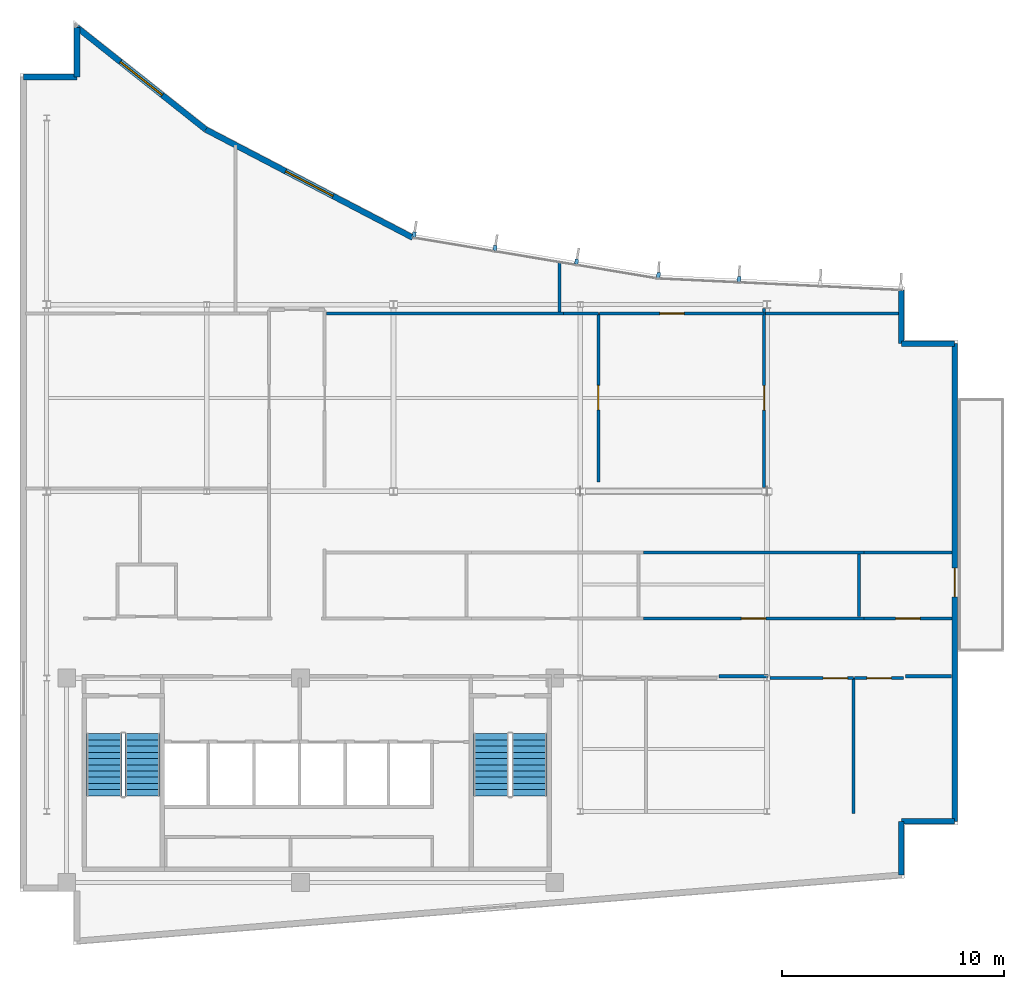
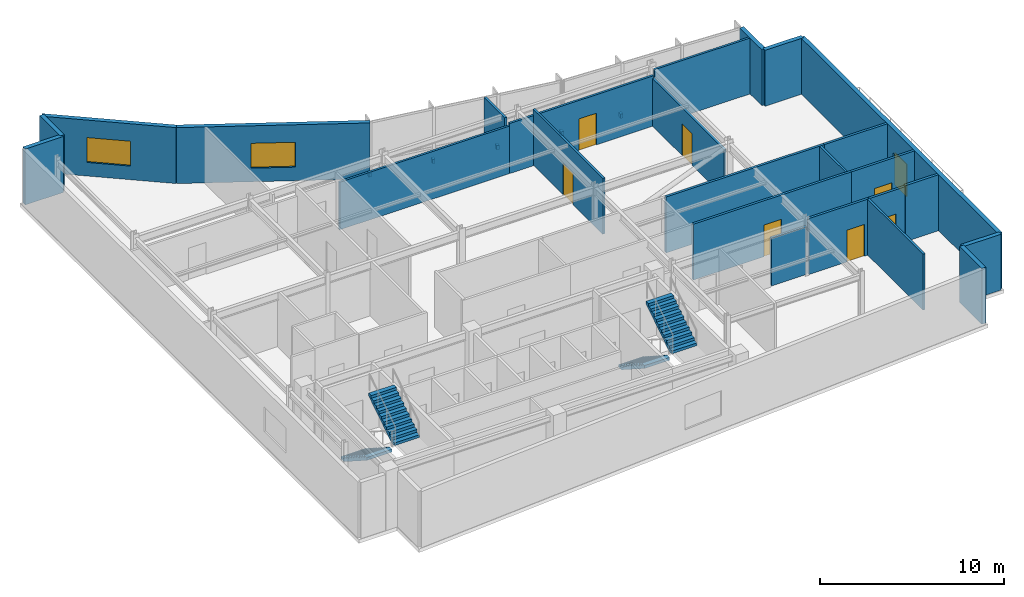
# One storey, part 13 of 17: 26 walls, 8 doors, 5 discrete accessories, 4 stair flights, 2 windows, 10 openings, 2 elements without a shape of their own.
"""IFC4 building model written with IfcOpenShell, lengths in metres."""

from ifc_helpers import new_model, si_unit, direction, frame, frame_2d, origin, origin_2d, place, context, subcontext, project, spatial, polyline, rectangle, outline, extrude, material, layer, layer_set, type_object, element, fill, aggregate, save


model = new_model("IFC4")

# Units and contexts
model_context = context("Model", 3, precision=1e-05, world=origin(), true_north=direction((0.0, 1.0)))
body_context = subcontext(model_context, "Body", "Model", "MODEL_VIEW")
ifc_project = project(units=[si_unit("LENGTHUNIT", "METRE"), si_unit("AREAUNIT", "SQUARE_METRE"), si_unit("VOLUMEUNIT", "CUBIC_METRE"), si_unit("PLANEANGLEUNIT", "RADIAN"), si_unit("MASSUNIT", "GRAM", prefix="KILO")], contexts=[model_context])

# Site, building, storey
site_placement = place(None, origin())
site = spatial("IfcSite", under=ifc_project, at=site_placement, CompositionType="ELEMENT")
building_placement = place(site_placement, origin())
building = spatial("IfcBuilding", under=site, at=building_placement, Name="Varnakote Quay Hospital", CompositionType="ELEMENT")
storey_placement = place(building_placement, frame((0.0, 0.0, 256.550048828125)))
storey = spatial("IfcBuildingStorey", under=building, at=storey_placement, Name="L63", CompositionType="ELEMENT", Elevation=256.550048828125)

# Walls
ifc_material_1 = material(Name="Fire-rated acoustic gypsum stud wall", Category="gypsum")
ifc_layer_1 = layer(ifc_material_1, 0.159912109375)
ifc_layer_set_1 = layer_set([ifc_layer_1], Name="Fire-rated acoustic gypsum stud wall")
wall_type_1 = type_object("IfcWallType", Name="WL-COMP-160", PredefinedType="PARTITIONING", material=ifc_layer_set_1)
wall_1_placement = place(storey_placement, frame((31.439208984375, 12.080078125, 0.0), z_axis=(0.0, 0.0, 1.0), x_axis=(1.0, 0.0, 0.0)))
element("IfcWall", 1, at=wall_1_placement, inside=storey, type_object=wall_type_1, Name="L63 Corridor South Gap Wall", PredefinedType="PARTITIONING", context=body_context, shape_type="SweptSolid", body=[
    extrude(rectangle(XDim=2.198486328125, YDim=0.159912109375, at=frame_2d((1.09912109375, 0.0))), origin(), (0.0, 0.0, 1.0), 3.156982421875),
])
wall_2_placement = place(storey_placement, frame((39.83935546875, 12.080078125, 0.0), z_axis=(0.0, 0.0, 1.0), x_axis=(1.0, 0.0, 0.0)))
element("IfcWall", 2, at=wall_2_placement, inside=storey, type_object=wall_type_1, Name="L63 Corridor South Gap Wall", PredefinedType="PARTITIONING", context=body_context, shape_type="SweptSolid", body=[
    extrude(rectangle(XDim=2.060546875, YDim=0.159912109375, at=frame_2d((1.0302734375, 0.0))), origin(), (0.0, 0.0, 1.0), 3.7099609375),
])
ifc_material_2 = material(Name="Precast concrete N50 (f'c 50 MPa)", Category="concrete")
ifc_layer_2 = layer(ifc_material_2, 0.260009765625)
ifc_layer_set_2 = layer_set([ifc_layer_2], Name="Precast concrete N50 (f'c 50 MPa)")
wall_type_2 = type_object("IfcWallType", Name="WL-EXT-BRICK-260", PredefinedType="STANDARD", material=ifc_layer_set_2)
wall_3_placement = place(storey_placement, frame((39.639892578125, 3.147705078125, 0.0), z_axis=(0.0, 0.0, 1.0), x_axis=(0.0, 1.0, 0.0)))
element("IfcWall", 3, at=wall_3_placement, inside=storey, type_object=wall_type_2, Name="L63 Brick-Faced Precast Exterior Wall", PredefinedType="STANDARD", context=body_context, shape_type="SweptSolid", body=[
    extrude(rectangle(XDim=2.412353515625, YDim=0.260009765625, at=frame_2d((1.2060546875, 0.0))), origin(), (0.0, 0.0, 1.0), 3.7099609375),
])
wall_4_placement = place(storey_placement, frame((39.639892578125, 5.56005859375, 0.0), z_axis=(0.0, 0.0, 1.0), x_axis=(1.0, 0.0, 0.0)))
element("IfcWall", 4, at=wall_4_placement, inside=storey, type_object=wall_type_2, Name="L63 Brick-Faced Precast Exterior Wall", PredefinedType="STANDARD", context=body_context, shape_type="SweptSolid", body=[
    extrude(rectangle(XDim=2.400146484375, YDim=0.260009765625, at=frame_2d((1.2001953125, 0.0))), origin(), (0.0, 0.0, 1.0), 3.7099609375),
])

# Wall, opening, door
wall_5_placement = place(storey_placement, frame((42.0400390625, 5.56005859375, 0.0), z_axis=(0.0, 0.0, 1.0), x_axis=(0.0, 1.0, 0.0)))
wall_5 = element("IfcWall", 5, at=wall_5_placement, inside=storey, type_object=wall_type_2, Name="L63 Healing Terrace Portal Brick Wall", PredefinedType="STANDARD", context=body_context, shape_type="SweptSolid", body=[
    extrude(rectangle(XDim=21.47998046875, YDim=0.260009765625, at=frame_2d((10.739990234375, 0.0))), origin(), (0.0, 0.0, 1.0), 3.7099609375),
])
opening_1_placement = place(wall_5_placement, frame((10.090087890625, 0.0, 0.0)))
opening_1 = element("IfcOpeningElement", 6, at=opening_1_placement, cuts=wall_5, Name="Opening DT-L63", PredefinedType="OPENING", context=body_context, shape_type="SweptSolid", body=[
    extrude(rectangle(XDim=1.300048828125, YDim=2.14990234375, at=frame_2d((0.64990234375, 1.074951171875))), frame((0.0, 0.139892578125, 0.0), z_axis=(0.0, -1.0, 0.0), x_axis=(1.0, 0.0, 0.0)), (0.0, 0.0, 1.0), 0.280029296875),
])
ifc_material_3 = material(Name="Anodised aluminium glazed terrace door", Category="aluminium")
door_type_1 = type_object("IfcDoorType", Name="DR-EXT-TERR-1300x2150", OperationType="NOTDEFINED", PredefinedType="DOOR", material=ifc_material_3)
door_1_placement = place(opening_1_placement, origin())
door_1 = element("IfcDoor", 7, at=door_1_placement, inside=storey, type_object=door_type_1, Name="L63 Waterfront Healing Terrace Door", OperationType="SINGLE_SWING_RIGHT", OverallHeight=2.14990234375, OverallWidth=1.300048828125, PredefinedType="DOOR", context=body_context, shape_type="SweptSolid", body=[
    extrude(rectangle(XDim=1.300048828125, YDim=2.14990234375, at=frame_2d((0.64990234375, 1.074951171875))), frame((0.0, 0.02490234375, 0.0), z_axis=(0.0, -1.0, 0.0), x_axis=(1.0, 0.0, 0.0)), (0.0, 0.0, 1.0), 0.050048828125),
])
fill(opening_1, door_1)

# Walls
wall_6_placement = place(storey_placement, frame((42.0400390625, 27.0400390625, 0.0), z_axis=(0.0, 0.0, 1.0), x_axis=(-1.0, 0.0, 0.0)))
element("IfcWall", 8, at=wall_6_placement, inside=storey, type_object=wall_type_2, Name="L63 Brick-Faced Precast Exterior Wall", PredefinedType="STANDARD", context=body_context, shape_type="SweptSolid", body=[
    extrude(rectangle(XDim=2.400146484375, YDim=0.260009765625, at=frame_2d((1.2001953125, 0.0))), origin(), (0.0, 0.0, 1.0), 3.7099609375),
])
wall_7_placement = place(storey_placement, frame((39.639892578125, 27.0400390625, 0.0), z_axis=(0.0, 0.0, 1.0), x_axis=(0.0, 1.0, 0.0)))
element("IfcWall", 9, at=wall_7_placement, inside=storey, type_object=wall_type_2, Name="L63 Brick-Faced Precast Exterior Wall", PredefinedType="STANDARD", context=body_context, shape_type="SweptSolid", body=[
    extrude(rectangle(XDim=2.407470703125, YDim=0.260009765625, at=frame_2d((1.20361328125, 0.0))), origin(), (0.0, 0.0, 1.0), 3.7099609375),
])

# Wall, opening, window
wall_8_placement = place(storey_placement, frame((17.672607421875, 31.806396484375, 0.0), z_axis=(0.0, 0.0, 1.0), x_axis=(-0.886426635565, 0.462869117311, 0.0)))
wall_8 = element("IfcWall", 10, at=wall_8_placement, inside=storey, type_object=wall_type_2, Name="L63 Brick-Faced Precast Exterior Wall", PredefinedType="STANDARD", context=body_context, shape_type="SweptSolid", body=[
    extrude(rectangle(XDim=10.51416015625, YDim=0.260009765625, at=frame_2d((5.257080078125, 0.0))), origin(), (0.0, 0.0, 1.0), 3.7099609375),
])
opening_2_placement = place(wall_8_placement, frame((4.05712890625, 0.0, 0.89990234375)))
opening_2 = element("IfcOpeningElement", 11, at=opening_2_placement, cuts=wall_8, Name="Opening WN-0255", PredefinedType="OPENING", context=body_context, shape_type="SweptSolid", body=[
    extrude(rectangle(XDim=2.39990234375, YDim=1.64990234375, at=frame_2d((1.199951171875, 0.824951171875))), frame((0.0, 0.139892578125, 0.0), z_axis=(0.0, -1.0, 0.0), x_axis=(1.0, 0.0, 0.0)), (0.0, 0.0, 1.0), 0.280029296875),
])
ifc_material_4 = material(Name="Double-glazed low-E solar glass", Category="glass")
window_type = type_object("IfcWindowType", Name="WIN-CLIN-2400x1650", PartitioningType="SINGLE_PANEL", PredefinedType="WINDOW", material=ifc_material_4)
window_1_placement = place(opening_2_placement, origin())
window_1 = element("IfcWindow", 12, at=window_1_placement, inside=storey, type_object=window_type, Name="L63 Solar-Control Clinical Window", OverallHeight=1.64990234375, OverallWidth=2.39990234375, PartitioningType="SINGLE_PANEL", PredefinedType="WINDOW", context=body_context, shape_type="SweptSolid", body=[
    extrude(rectangle(XDim=2.39990234375, YDim=1.64990234375, at=frame_2d((1.199951171875, 0.824951171875))), frame((0.0, 0.030029296875, 0.0), z_axis=(0.0, -1.0, 0.0), x_axis=(1.0, 0.0, 0.0)), (0.0, 0.0, 1.0), 0.06005859375),
])
fill(opening_2, window_1)

wall_9_placement = place(storey_placement, frame((8.3525390625, 36.673095703125, 0.0), z_axis=(0.0, 0.0, 1.0), x_axis=(-0.783387911746, 0.621533088203, 0.0)))
wall_9 = element("IfcWall", 13, at=wall_9_placement, inside=storey, type_object=wall_type_2, Name="L63 Brick-Faced Precast Exterior Wall", PredefinedType="STANDARD", context=body_context, shape_type="SweptSolid", body=[
    extrude(rectangle(XDim=7.39404296875, YDim=0.260009765625, at=frame_2d((3.697021484375, 0.0))), origin(), (0.0, 0.0, 1.0), 3.7099609375),
])
opening_3_placement = place(wall_9_placement, frame((2.4970703125, 0.0, 0.89990234375)))
opening_3 = element("IfcOpeningElement", 14, at=opening_3_placement, cuts=wall_9, Name="Opening WN-0256", PredefinedType="OPENING", context=body_context, shape_type="SweptSolid", body=[
    extrude(rectangle(XDim=2.39990234375, YDim=1.64990234375, at=frame_2d((1.199951171875, 0.824951171875))), frame((0.0, 0.139892578125, 0.0), z_axis=(0.0, -1.0, 0.0), x_axis=(1.0, 0.0, 0.0)), (0.0, 0.0, 1.0), 0.280029296875),
])
window_2_placement = place(opening_3_placement, origin())
window_2 = element("IfcWindow", 15, at=window_2_placement, inside=storey, type_object=window_type, Name="L63 Solar-Control Clinical Window", OverallHeight=1.64990234375, OverallWidth=2.39990234375, PartitioningType="SINGLE_PANEL", PredefinedType="WINDOW", context=body_context, shape_type="SweptSolid", body=[
    extrude(rectangle(XDim=2.39990234375, YDim=1.64990234375, at=frame_2d((1.199951171875, 0.824951171875))), frame((0.0, 0.030029296875, 0.0), z_axis=(0.0, -1.0, 0.0), x_axis=(1.0, 0.0, 0.0)), (0.0, 0.0, 1.0), 0.06005859375),
])
fill(opening_3, window_2)

# Walls
wall_10_placement = place(storey_placement, frame((2.56005859375, 41.268798828125, 0.0), z_axis=(0.0, 0.0, 1.0), x_axis=(0.0, -1.0, 0.0)))
element("IfcWall", 16, at=wall_10_placement, inside=storey, type_object=wall_type_2, Name="L63 Brick-Faced Precast Exterior Wall", PredefinedType="STANDARD", context=body_context, shape_type="SweptSolid", body=[
    extrude(rectangle(XDim=2.228759765625, YDim=0.260009765625, at=frame_2d((1.1142578125, 0.0))), origin(), (0.0, 0.0, 1.0), 3.7099609375),
])
wall_11_placement = place(storey_placement, frame((2.56005859375, 39.0400390625, 0.0), z_axis=(0.0, 0.0, 1.0), x_axis=(-1.0, 0.0, 0.0)))
element("IfcWall", 17, at=wall_11_placement, inside=storey, type_object=wall_type_2, Name="L63 Brick-Faced Precast Exterior Wall", PredefinedType="STANDARD", context=body_context, shape_type="SweptSolid", body=[
    extrude(rectangle(XDim=2.400146484375, YDim=0.260009765625, at=frame_2d((1.2001953125, 0.0))), origin(), (0.0, 0.0, 1.0), 3.7099609375),
])
ifc_material_5 = material(Name="Smoke-proof clinical partition", Category="gypsum")
ifc_layer_3 = layer(ifc_material_5, 0.135009765625)
ifc_layer_set_3 = layer_set([ifc_layer_3], Name="Smoke-proof clinical partition")
wall_type_3 = type_object("IfcWallType", Name="WL-SMOKE-135", PredefinedType="PARTITIONING", material=ifc_layer_set_3)
wall_12_placement = place(storey_placement, frame((37.47998046875, 5.89990234375, 0.0), z_axis=(0.0, 0.0, 1.0), x_axis=(0.0, 1.0, 0.0)))
element("IfcWall", 18, at=wall_12_placement, inside=storey, type_object=wall_type_3, Name="L63 Clinical Interior Partition", PredefinedType="PARTITIONING", context=body_context, shape_type="SweptSolid", body=[
    extrude(rectangle(XDim=6.10009765625, YDim=0.135009765625, at=frame_2d((3.050048828125, 0.0))), origin(), (0.0, 0.0, 1.0), 3.7099609375),
])
wall_13_placement = place(storey_placement, frame((37.72998046875, 14.760009765625, 0.0), z_axis=(0.0, 0.0, 1.0), x_axis=(0.0, 1.0, 0.0)))
element("IfcWall", 19, at=wall_13_placement, inside=storey, type_object=wall_type_3, Name="L63 Clinical Interior Partition", PredefinedType="PARTITIONING", context=body_context, shape_type="SweptSolid", body=[
    extrude(rectangle(XDim=2.81005859375, YDim=0.135009765625, at=frame_2d((1.405029296875, 0.0))), origin(), (0.0, 0.0, 1.0), 3.7099609375),
])

# Wall, opening, door
wall_14_placement = place(storey_placement, frame((26.010009765625, 20.820068359375, 0.0), z_axis=(0.0, 0.0, 1.0), x_axis=(0.0, 1.0, 0.0)))
wall_14 = element("IfcWall", 20, at=wall_14_placement, inside=storey, type_object=wall_type_3, Name="L63 Clinical Interior Partition", PredefinedType="PARTITIONING", context=body_context, shape_type="SweptSolid", body=[
    extrude(rectangle(XDim=7.579833984375, YDim=0.135009765625, at=frame_2d((3.7900390625, 0.0))), origin(), (0.0, 0.0, 1.0), 3.7099609375),
])
opening_4_placement = place(wall_14_placement, frame((3.239990234375, 0.0, 0.0)))
opening_4 = element("IfcOpeningElement", 21, at=opening_4_placement, cuts=wall_14, Name="Opening D-L63-DLNG", PredefinedType="OPENING", context=body_context, shape_type="SweptSolid", body=[
    extrude(rectangle(XDim=1.10009765625, YDim=2.10009765625, at=frame_2d((0.550048828125, 1.050048828125))), frame((0.0, 0.077392578125, 0.0), z_axis=(0.0, -1.0, 0.0), x_axis=(1.0, 0.0, 0.0)), (0.0, 0.0, 1.0), 0.155029296875),
])
ifc_material_6 = material(Name="Acoustic timber clinical consult door", Category="wood")
door_type_2 = type_object("IfcDoorType", Name="DR-CLIN-FD30S-1100x2100", OperationType="NOTDEFINED", PredefinedType="DOOR", material=ifc_material_6)
door_2_placement = place(opening_4_placement, origin())
door_2 = element("IfcDoor", 22, at=door_2_placement, inside=storey, type_object=door_type_2, Name="L63 Waterfront Patient & Family Dayroom Door", OperationType="SINGLE_SWING_RIGHT", OverallHeight=2.10009765625, OverallWidth=1.10009765625, PredefinedType="DOOR", context=body_context, shape_type="SweptSolid", body=[
    extrude(rectangle(XDim=1.10009765625, YDim=2.10009765625, at=frame_2d((0.550048828125, 1.050048828125))), frame((0.0, 0.02490234375, 0.0), z_axis=(0.0, -1.0, 0.0), x_axis=(1.0, 0.0, 0.0)), (0.0, 0.0, 1.0), 0.050048828125),
])
fill(opening_4, door_2)

# Walls
wall_15_placement = place(storey_placement, frame((24.4384765625, 28.39990234375, 0.0), z_axis=(0.0, 0.0, 1.0), x_axis=(-1.0, 0.0, 0.0)))
element("IfcWall", 23, at=wall_15_placement, inside=storey, type_object=wall_type_3, Name="L63 Clinical Interior Partition", PredefinedType="PARTITIONING", context=body_context, shape_type="SweptSolid", body=[
    extrude(rectangle(XDim=10.658447265625, YDim=0.135009765625, at=frame_2d((5.3291015625, 0.0))), origin(), (0.0, 0.0, 1.0), 3.156982421875),
])
wall_16_placement = place(storey_placement, frame((26.010009765625, 28.39990234375, 0.0), z_axis=(0.0, 0.0, 1.0), x_axis=(-1.0, 0.0, 0.0)))
element("IfcWall", 24, at=wall_16_placement, inside=storey, type_object=wall_type_3, Name="L63 Clinical Interior Partition", PredefinedType="PARTITIONING", context=body_context, shape_type="SweptSolid", body=[
    extrude(rectangle(XDim=1.569580078125, YDim=0.135009765625, at=frame_2d((0.78466796875, 0.0))), origin(), (0.0, 0.0, 1.0), 3.325927734375),
])

# Wall, opening, door
wall_17_placement = place(storey_placement, frame((33.469970703125, 20.570068359375, 0.0), z_axis=(0.0, 0.0, 1.0), x_axis=(0.0, 1.0, 0.0)))
wall_17 = element("IfcWall", 25, at=wall_17_placement, inside=storey, type_object=wall_type_3, Name="L63 Clinical Interior Partition", PredefinedType="PARTITIONING", context=body_context, shape_type="SweptSolid", body=[
    extrude(rectangle(XDim=8.059814453125, YDim=0.135009765625, at=frame_2d((4.02978515625, 0.0))), origin(), (0.0, 0.0, 1.0), 3.156982421875),
])
opening_5_placement = place(wall_17_placement, frame((3.47998046875, 0.0, 0.0)))
opening_5 = element("IfcOpeningElement", 26, at=opening_5_placement, cuts=wall_17, Name="Opening D-L63-WPNT", PredefinedType="OPENING", context=body_context, shape_type="SweptSolid", body=[
    extrude(rectangle(XDim=1.10009765625, YDim=2.10009765625, at=frame_2d((0.550048828125, 1.050048828125))), frame((0.0, 0.077392578125, 0.0), z_axis=(0.0, -1.0, 0.0), x_axis=(1.0, 0.0, 0.0)), (0.0, 0.0, 1.0), 0.155029296875),
])
door_3_placement = place(opening_5_placement, origin())
door_3 = element("IfcDoor", 27, at=door_3_placement, inside=storey, type_object=door_type_2, Name="L63 Ward Clinical Nutrition Pantry Door", OperationType="SINGLE_SWING_LEFT", OverallHeight=2.10009765625, OverallWidth=1.10009765625, PredefinedType="DOOR", context=body_context, shape_type="SweptSolid", body=[
    extrude(rectangle(XDim=1.10009765625, YDim=2.10009765625, at=frame_2d((0.550048828125, 1.050048828125))), frame((0.0, 0.02490234375, 0.0), z_axis=(0.0, -1.0, 0.0), x_axis=(1.0, 0.0, 0.0)), (0.0, 0.0, 1.0), 0.050048828125),
])
fill(opening_5, door_3)

wall_18_placement = place(storey_placement, frame((33.469970703125, 28.39990234375, 0.0), z_axis=(0.0, 0.0, 1.0), x_axis=(-1.0, 0.0, 0.0)))
wall_18 = element("IfcWall", 28, at=wall_18_placement, inside=storey, type_object=wall_type_3, Name="L63 Clinical Interior Partition", PredefinedType="PARTITIONING", context=body_context, shape_type="SweptSolid", body=[
    extrude(rectangle(XDim=7.402587890625, YDim=0.135009765625, at=frame_2d((3.701171875, 0.0))), origin(), (0.0, 0.0, 1.0), 3.325927734375),
])
opening_6_placement = place(wall_18_placement, frame((3.593994140625, 0.0, 0.0)))
opening_6 = element("IfcOpeningElement", 29, at=opening_6_placement, cuts=wall_18, Name="Opening D-L63-MD11", PredefinedType="OPENING", context=body_context, shape_type="SweptSolid", body=[
    extrude(rectangle(XDim=1.10009765625, YDim=2.10009765625, at=frame_2d((0.550048828125, 1.050048828125))), frame((0.0, 0.077392578125, 0.0), z_axis=(0.0, -1.0, 0.0), x_axis=(1.0, 0.0, 0.0)), (0.0, 0.0, 1.0), 0.155029296875),
])
door_4_placement = place(opening_6_placement, origin())
door_4 = element("IfcDoor", 30, at=door_4_placement, inside=storey, type_object=door_type_2, Name="L63 Surgical Clinical Consultation Suite Door", OperationType="SINGLE_SWING_RIGHT", OverallHeight=2.10009765625, OverallWidth=1.10009765625, PredefinedType="DOOR", context=body_context, shape_type="SweptSolid", body=[
    extrude(rectangle(XDim=1.10009765625, YDim=2.10009765625, at=frame_2d((0.550048828125, 1.050048828125))), frame((0.0, 0.02490234375, 0.0), z_axis=(0.0, -1.0, 0.0), x_axis=(1.0, 0.0, 0.0)), (0.0, 0.0, 1.0), 0.050048828125),
])
fill(opening_6, door_4)

# Walls
wall_19_placement = place(storey_placement, frame((39.639892578125, 28.39990234375, 0.0), z_axis=(0.0, 0.0, 1.0), x_axis=(-1.0, 0.0, 0.0)))
element("IfcWall", 31, at=wall_19_placement, inside=storey, type_object=wall_type_3, Name="L63 Clinical Interior Partition", PredefinedType="PARTITIONING", context=body_context, shape_type="SweptSolid", body=[
    extrude(rectangle(XDim=6.1123046875, YDim=0.135009765625, at=frame_2d((3.05615234375, 0.0))), origin(), (0.0, 0.0, 1.0), 3.7099609375),
])
wall_20_placement = place(storey_placement, frame((24.260009765625, 28.45751953125, 0.0), z_axis=(0.0, 0.0, 1.0), x_axis=(0.0, 1.0, 0.0)))
element("IfcWall", 32, at=wall_20_placement, inside=storey, type_object=wall_type_3, Name="L63 Clinical Interior Partition", PredefinedType="PARTITIONING", context=body_context, shape_type="SweptSolid", body=[
    extrude(rectangle(XDim=2.2490234375, YDim=0.135009765625, at=frame_2d((1.12451171875, 0.0))), origin(), (0.0, 0.0, 1.0), 3.7099609375),
])

# Wall, opening, door
ifc_material_7 = material(Name="Fire-rated clinical gypsum partition", Category="gypsum")
ifc_layer_4 = layer(ifc_material_7, 0.14990234375)
ifc_layer_set_4 = layer_set([ifc_layer_4], Name="Fire-rated clinical gypsum partition")
wall_type_4 = type_object("IfcWallType", Name="WL-WARD-150", PredefinedType="PARTITIONING", material=ifc_layer_set_4)
wall_21_placement = place(storey_placement, frame((37.47998046875, 12.0, 0.0), z_axis=(0.0, 0.0, 1.0), x_axis=(-1.0, 0.0, 0.0)))
wall_21 = element("IfcWall", 33, at=wall_21_placement, inside=storey, type_object=wall_type_4, Name="L63 Clinical Interior Partition", PredefinedType="PARTITIONING", context=body_context, shape_type="SweptSolid", body=[
    extrude(rectangle(XDim=3.7529296875, YDim=0.14990234375, at=frame_2d((1.87646484375, 0.0))), origin(), (0.0, 0.0, 1.0), 3.7099609375),
])
opening_7_placement = place(wall_21_placement, frame((0.25634765625, 0.0, 0.0)))
opening_7 = element("IfcOpeningElement", 34, at=opening_7_placement, cuts=wall_21, Name="Opening D-L63-RM1", PredefinedType="OPENING", context=body_context, shape_type="SweptSolid", body=[
    extrude(rectangle(XDim=1.10009765625, YDim=2.10009765625, at=frame_2d((0.550048828125, 1.050048828125))), frame((0.0, 0.0849609375, 0.0), z_axis=(0.0, -1.0, 0.0), x_axis=(1.0, 0.0, 0.0)), (0.0, 0.0, 1.0), 0.169921875),
])
door_5_placement = place(opening_7_placement, origin())
door_5 = element("IfcDoor", 35, at=door_5_placement, inside=storey, type_object=door_type_2, Name="L63 Cardiac Telemetry Treatment Suite Door", OperationType="SINGLE_SWING_RIGHT", OverallHeight=2.10009765625, OverallWidth=1.10009765625, PredefinedType="DOOR", context=body_context, shape_type="SweptSolid", body=[
    extrude(rectangle(XDim=1.10009765625, YDim=2.10009765625, at=frame_2d((0.550048828125, 1.050048828125))), frame((0.0, 0.02490234375, 0.0), z_axis=(0.0, -1.0, 0.0), x_axis=(1.0, 0.0, 0.0)), (0.0, 0.0, 1.0), 0.050048828125),
])
fill(opening_7, door_5)

wall_22_placement = place(storey_placement, frame((39.75, 12.0, 0.0), z_axis=(0.0, 0.0, 1.0), x_axis=(-1.0, 0.0, 0.0)))
wall_22 = element("IfcWall", 36, at=wall_22_placement, inside=storey, type_object=wall_type_4, Name="L63 Clinical Interior Partition", PredefinedType="PARTITIONING", context=body_context, shape_type="SweptSolid", body=[
    extrude(rectangle(XDim=2.21240234375, YDim=0.14990234375, at=frame_2d((1.106201171875, 0.0))), origin(), (0.0, 0.0, 1.0), 3.7099609375),
])
opening_8_placement = place(wall_22_placement, frame((0.55615234375, 0.0, 0.0)))
opening_8 = element("IfcOpeningElement", 37, at=opening_8_placement, cuts=wall_22, Name="Opening D-L63-RM2", PredefinedType="OPENING", context=body_context, shape_type="SweptSolid", body=[
    extrude(rectangle(XDim=1.10009765625, YDim=2.10009765625, at=frame_2d((0.550048828125, 1.050048828125))), frame((0.0, 0.0849609375, 0.0), z_axis=(0.0, -1.0, 0.0), x_axis=(1.0, 0.0, 0.0)), (0.0, 0.0, 1.0), 0.169921875),
])
door_6_placement = place(opening_8_placement, origin())
door_6 = element("IfcDoor", 38, at=door_6_placement, inside=storey, type_object=door_type_2, Name="L63 Vascular Diagnostics Office Door", OperationType="SINGLE_SWING_LEFT", OverallHeight=2.10009765625, OverallWidth=1.10009765625, PredefinedType="DOOR", context=body_context, shape_type="SweptSolid", body=[
    extrude(rectangle(XDim=1.10009765625, YDim=2.10009765625, at=frame_2d((0.550048828125, 1.050048828125))), frame((0.0, 0.02490234375, 0.0), z_axis=(0.0, -1.0, 0.0), x_axis=(1.0, 0.0, 0.0)), (0.0, 0.0, 1.0), 0.050048828125),
])
fill(opening_8, door_6)

wall_23_placement = place(storey_placement, frame((37.9560546875, 14.679931640625, 0.0), z_axis=(0.0, 0.0, 1.0), x_axis=(-1.0, 0.0, 0.0)))
wall_23 = element("IfcWall", 39, at=wall_23_placement, inside=storey, type_object=wall_type_4, Name="L63 Clinical Interior Partition", PredefinedType="PARTITIONING", context=body_context, shape_type="SweptSolid", body=[
    extrude(rectangle(XDim=9.91796875, YDim=0.14990234375, at=frame_2d((4.958984375, 0.0))), origin(), (0.0, 0.0, 1.0), 3.7099609375),
])
opening_9_placement = place(wall_23_placement, frame((4.408935546875, 0.0, 0.0)))
opening_9 = element("IfcOpeningElement", 40, at=opening_9_placement, cuts=wall_23, Name="Opening D-L63-MD05", PredefinedType="OPENING", context=body_context, shape_type="SweptSolid", body=[
    extrude(rectangle(XDim=1.10009765625, YDim=2.10009765625, at=frame_2d((0.550048828125, 1.050048828125))), frame((0.0, 0.0849609375, 0.0), z_axis=(0.0, -1.0, 0.0), x_axis=(1.0, 0.0, 0.0)), (0.0, 0.0, 1.0), 0.169921875),
])
door_7_placement = place(opening_9_placement, origin())
door_7 = element("IfcDoor", 41, at=door_7_placement, inside=storey, type_object=door_type_2, Name="L63 Ward Nurse Station Office Door", OperationType="SINGLE_SWING_RIGHT", OverallHeight=2.10009765625, OverallWidth=1.10009765625, PredefinedType="DOOR", context=body_context, shape_type="SweptSolid", body=[
    extrude(rectangle(XDim=1.10009765625, YDim=2.10009765625, at=frame_2d((0.550048828125, 1.050048828125))), frame((0.0, 0.02490234375, 0.0), z_axis=(0.0, -1.0, 0.0), x_axis=(1.0, 0.0, 0.0)), (0.0, 0.0, 1.0), 0.050048828125),
])
fill(opening_9, door_7)

wall_24_placement = place(storey_placement, frame((41.919921875, 14.679931640625, 0.0), z_axis=(0.0, 0.0, 1.0), x_axis=(-1.0, 0.0, 0.0)))
wall_24 = element("IfcWall", 42, at=wall_24_placement, inside=storey, type_object=wall_type_4, Name="L63 Clinical Interior Partition", PredefinedType="PARTITIONING", context=body_context, shape_type="SweptSolid", body=[
    extrude(rectangle(XDim=3.9619140625, YDim=0.14990234375, at=frame_2d((1.98095703125, 0.0))), origin(), (0.0, 0.0, 1.0), 3.7099609375),
])
opening_10_placement = place(wall_24_placement, frame((1.430908203125, 0.0, 0.0)))
opening_10 = element("IfcOpeningElement", 43, at=opening_10_placement, cuts=wall_24, Name="Opening D-L63-MD06", PredefinedType="OPENING", context=body_context, shape_type="SweptSolid", body=[
    extrude(rectangle(XDim=1.10009765625, YDim=2.10009765625, at=frame_2d((0.550048828125, 1.050048828125))), frame((0.0, 0.0849609375, 0.0), z_axis=(0.0, -1.0, 0.0), x_axis=(1.0, 0.0, 0.0)), (0.0, 0.0, 1.0), 0.169921875),
])
door_8_placement = place(opening_10_placement, origin())
door_8 = element("IfcDoor", 44, at=door_8_placement, inside=storey, type_object=door_type_2, Name="L63 High-Acuity Step-Down Treatment Suite Door", OperationType="SINGLE_SWING_LEFT", OverallHeight=2.10009765625, OverallWidth=1.10009765625, PredefinedType="DOOR", context=body_context, shape_type="SweptSolid", body=[
    extrude(rectangle(XDim=1.10009765625, YDim=2.10009765625, at=frame_2d((0.550048828125, 1.050048828125))), frame((0.0, 0.02490234375, 0.0), z_axis=(0.0, -1.0, 0.0), x_axis=(1.0, 0.0, 0.0)), (0.0, 0.0, 1.0), 0.050048828125),
])
fill(opening_10, door_8)

# Walls
wall_25_placement = place(storey_placement, frame((28.0380859375, 17.64990234375, 0.0), z_axis=(0.0, 0.0, 1.0), x_axis=(1.0, 0.0, 0.0)))
element("IfcWall", 45, at=wall_25_placement, inside=storey, type_object=wall_type_4, Name="L63 Clinical Interior Partition", PredefinedType="PARTITIONING", context=body_context, shape_type="SweptSolid", body=[
    extrude(rectangle(XDim=9.91796875, YDim=0.14990234375, at=frame_2d((4.958984375, 0.0))), origin(), (0.0, 0.0, 1.0), 3.7099609375),
])
wall_26_placement = place(storey_placement, frame((37.9580078125, 17.64990234375, 0.0), z_axis=(0.0, 0.0, 1.0), x_axis=(1.0, 0.0, 0.0)))
element("IfcWall", 46, at=wall_26_placement, inside=storey, type_object=wall_type_4, Name="L63 Clinical Interior Partition", PredefinedType="PARTITIONING", context=body_context, shape_type="SweptSolid", body=[
    extrude(rectangle(XDim=3.9619140625, YDim=0.14990234375, at=frame_2d((1.98095703125, 0.0))), origin(), (0.0, 0.0, 1.0), 3.7099609375),
])

# Stair, stair flights
ifc_material_8 = material(Name="Concrete N40 (f'c 40 MPa)", Category="concrete")
stair_type = type_object("IfcStairType", Name="STR-CORE-1580", PredefinedType="HALF_TURN_STAIR", material=ifc_material_8)
stair_1_placement = place(storey_placement, origin())
stair_1 = element("IfcStair", 47, at=stair_1_placement, inside=storey, type_object=stair_type, Name="L63 Fire-Isolated Exit Stair ST-01", PredefinedType="HALF_TURN_STAIR")
ifc_material_9 = material(Name="Concrete N40 (f'c 40 MPa)", Category="concrete")
ifc_layer_5 = layer(ifc_material_9, 0.159912109375)
ifc_layer_set_5 = layer_set([ifc_layer_5], Name="Concrete N40 (f'c 40 MPa)")
stair_flight_type = type_object("IfcStairFlightType", Name="FLT-CORE-1580", PredefinedType="STRAIGHT", material=ifc_layer_set_5)
stair_flight_1_placement = place(storey_placement, frame((3.7900390625, 9.5, 0.0), z_axis=(0.0, 0.0, 1.0), x_axis=(0.0, -1.0, 0.0)))
stair_flight_1 = element("IfcStairFlight", 48, at=stair_flight_1_placement, type_object=stair_flight_type, Name="ST-01 flight 1", NumberOfRisers=11, NumberOfTreads=10, PredefinedType="STRAIGHT", RiserHeight=0.179545455, TreadLength=0.28, context=body_context, shape_type="SweptSolid", body=[
    extrude(outline(polyline([(0.0, 0.0), (0.0, 0.179443359375), (0.280029296875, 0.179443359375), (0.280029296875, 0.359130859375), (0.56005859375, 0.359130859375), (0.56005859375, 0.53857421875), (0.840087890625, 0.53857421875), (0.840087890625, 0.71826171875), (1.1201171875, 0.71826171875), (1.1201171875, 0.897705078125), (1.39990234375, 0.897705078125), (1.39990234375, 1.077392578125), (1.679931640625, 1.077392578125), (1.679931640625, 1.2568359375), (1.9599609375, 1.2568359375), (1.9599609375, 1.436279296875), (2.239990234375, 1.436279296875), (2.239990234375, 1.615966796875), (2.52001953125, 1.615966796875), (2.52001953125, 1.79541015625), (2.800048828125, 1.79541015625), (2.800048828125, 1.97509765625), (2.800048828125, 1.60546875), (0.296142578125, 0.0), (0.0, 0.0)])), frame((0.0, 0.7900390625, 0.0), z_axis=(0.0, -1.0, 0.0), x_axis=(1.0, 0.0, 0.0)), (0.0, 0.0, 1.0), 1.580078125),
])
stair_flight_2_placement = place(storey_placement, frame((5.510009765625, 6.699951171875, 1.974853515625), z_axis=(0.0, 0.0, 1.0), x_axis=(0.0, 1.0, 0.0)))
stair_flight_2 = element("IfcStairFlight", 49, at=stair_flight_2_placement, type_object=stair_flight_type, Name="ST-01 flight 2", NumberOfRisers=11, NumberOfTreads=10, PredefinedType="STRAIGHT", RiserHeight=0.179545455, TreadLength=0.28, context=body_context, shape_type="SweptSolid", body=[
    extrude(outline(polyline([(0.0, 0.0), (0.0, 0.179443359375), (0.280029296875, 0.179443359375), (0.280029296875, 0.359130859375), (0.56005859375, 0.359130859375), (0.56005859375, 0.53857421875), (0.840087890625, 0.53857421875), (0.840087890625, 0.71826171875), (1.1201171875, 0.71826171875), (1.1201171875, 0.897705078125), (1.39990234375, 0.897705078125), (1.39990234375, 1.077392578125), (1.679931640625, 1.077392578125), (1.679931640625, 1.2568359375), (1.9599609375, 1.2568359375), (1.9599609375, 1.436279296875), (2.239990234375, 1.436279296875), (2.239990234375, 1.615966796875), (2.52001953125, 1.615966796875), (2.52001953125, 1.79541015625), (2.800048828125, 1.79541015625), (2.800048828125, 1.97509765625), (2.800048828125, 1.60546875), (0.296142578125, 0.0), (0.0, 0.0)])), frame((0.0, 0.7900390625, 0.0), z_axis=(0.0, -1.0, 0.0), x_axis=(1.0, 0.0, 0.0)), (0.0, 0.0, 1.0), 1.580078125),
])
aggregate(stair_1, [stair_flight_1, stair_flight_2])

stair_2_placement = place(storey_placement, origin())
stair_2 = element("IfcStair", 50, at=stair_2_placement, inside=storey, type_object=stair_type, Name="L63 Fire-Isolated Exit Stair ST-02", PredefinedType="HALF_TURN_STAIR")
stair_flight_3_placement = place(storey_placement, frame((21.18994140625, 9.5, 0.0), z_axis=(0.0, 0.0, 1.0), x_axis=(0.0, -1.0, 0.0)))
stair_flight_3 = element("IfcStairFlight", 51, at=stair_flight_3_placement, type_object=stair_flight_type, Name="ST-02 flight 1", NumberOfRisers=11, NumberOfTreads=10, PredefinedType="STRAIGHT", RiserHeight=0.179545455, TreadLength=0.28, context=body_context, shape_type="SweptSolid", body=[
    extrude(outline(polyline([(0.0, 0.0), (0.0, 0.179443359375), (0.280029296875, 0.179443359375), (0.280029296875, 0.359130859375), (0.56005859375, 0.359130859375), (0.56005859375, 0.53857421875), (0.840087890625, 0.53857421875), (0.840087890625, 0.71826171875), (1.1201171875, 0.71826171875), (1.1201171875, 0.897705078125), (1.39990234375, 0.897705078125), (1.39990234375, 1.077392578125), (1.679931640625, 1.077392578125), (1.679931640625, 1.2568359375), (1.9599609375, 1.2568359375), (1.9599609375, 1.436279296875), (2.239990234375, 1.436279296875), (2.239990234375, 1.615966796875), (2.52001953125, 1.615966796875), (2.52001953125, 1.79541015625), (2.800048828125, 1.79541015625), (2.800048828125, 1.97509765625), (2.800048828125, 1.60546875), (0.296142578125, 0.0), (0.0, 0.0)])), frame((0.0, 0.7900390625, 0.0), z_axis=(0.0, -1.0, 0.0), x_axis=(1.0, 0.0, 0.0)), (0.0, 0.0, 1.0), 1.580078125),
])
stair_flight_4_placement = place(storey_placement, frame((22.909912109375, 6.699951171875, 1.974853515625), z_axis=(0.0, 0.0, 1.0), x_axis=(0.0, 1.0, 0.0)))
stair_flight_4 = element("IfcStairFlight", 52, at=stair_flight_4_placement, type_object=stair_flight_type, Name="ST-02 flight 2", NumberOfRisers=11, NumberOfTreads=10, PredefinedType="STRAIGHT", RiserHeight=0.179545455, TreadLength=0.28, context=body_context, shape_type="SweptSolid", body=[
    extrude(outline(polyline([(0.0, 0.0), (0.0, 0.179443359375), (0.280029296875, 0.179443359375), (0.280029296875, 0.359130859375), (0.56005859375, 0.359130859375), (0.56005859375, 0.53857421875), (0.840087890625, 0.53857421875), (0.840087890625, 0.71826171875), (1.1201171875, 0.71826171875), (1.1201171875, 0.897705078125), (1.39990234375, 0.897705078125), (1.39990234375, 1.077392578125), (1.679931640625, 1.077392578125), (1.679931640625, 1.2568359375), (1.9599609375, 1.2568359375), (1.9599609375, 1.436279296875), (2.239990234375, 1.436279296875), (2.239990234375, 1.615966796875), (2.52001953125, 1.615966796875), (2.52001953125, 1.79541015625), (2.800048828125, 1.79541015625), (2.800048828125, 1.97509765625), (2.800048828125, 1.60546875), (0.296142578125, 0.0), (0.0, 0.0)])), frame((0.0, 0.7900390625, 0.0), z_axis=(0.0, -1.0, 0.0), x_axis=(1.0, 0.0, 0.0)), (0.0, 0.0, 1.0), 1.580078125),
])
aggregate(stair_2, [stair_flight_3, stair_flight_4])

# Discrete accessories
ifc_material_10 = material(Name="Anodised aluminium 6063-T6 Bronze", Category="aluminium")
discrete_accessory_type = type_object("IfcDiscreteAccessoryType", Name="ACC-FIN-BRACKET-180", PredefinedType="BRACKET", material=ifc_material_10)
for number, where, z_axis, x_axis, name in (
    (53, (32.33984375, 29.944580078125, 0.0), (0.0, 0.0, 1.0), (-0.998873370853, 0.047455126176, 0.0), "L63 Curtain Wall Fin Fixing Bracket"),
    (54, (28.718505859375, 30.116943359375, 0.0), (0.0, 0.0, 1.0), (-0.998873370853, 0.047455126176, 0.0), "L63 Curtain Wall Fin Fixing Bracket"),
    (55, (25.034912109375, 30.729248046875, 0.0), (0.0, 0.0, 1.0), (-0.986343153931, 0.16470331719, 0.0), "L63 Curtain Wall Fin Fixing Bracket"),
    (56, (21.365966796875, 31.341796875, 0.0), (0.0, 0.0, 1.0), (-0.986343153931, 0.16470331719, 0.0), "L63 Curtain Wall Fin Fixing Bracket"),
    (57, (17.729248046875, 31.948974609375, 0.0), (0.0, 0.0, 1.0), (-0.986343153931, 0.16470331719, 0.0), "L63 Curtain Wall Fin Fixing Bracket"),
):
    element("IfcDiscreteAccessory", number, at=place(storey_placement, frame(where, z_axis=z_axis, x_axis=x_axis)), inside=storey, type_object=discrete_accessory_type, Name=name, PredefinedType="BRACKET", context=body_context, shape_type="SweptSolid", body=[
        extrude(rectangle(XDim=0.159912109375, YDim=0.239990234375, at=origin_2d()), origin(), (0.0, 0.0, 1.0), 0.280029296875),
    ])

save(model, "model.ifc")
